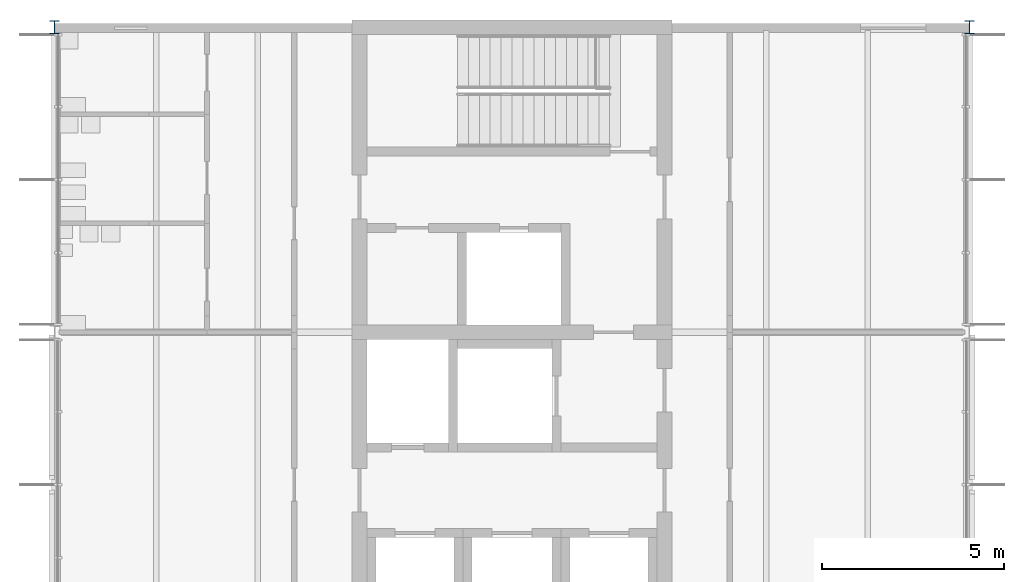
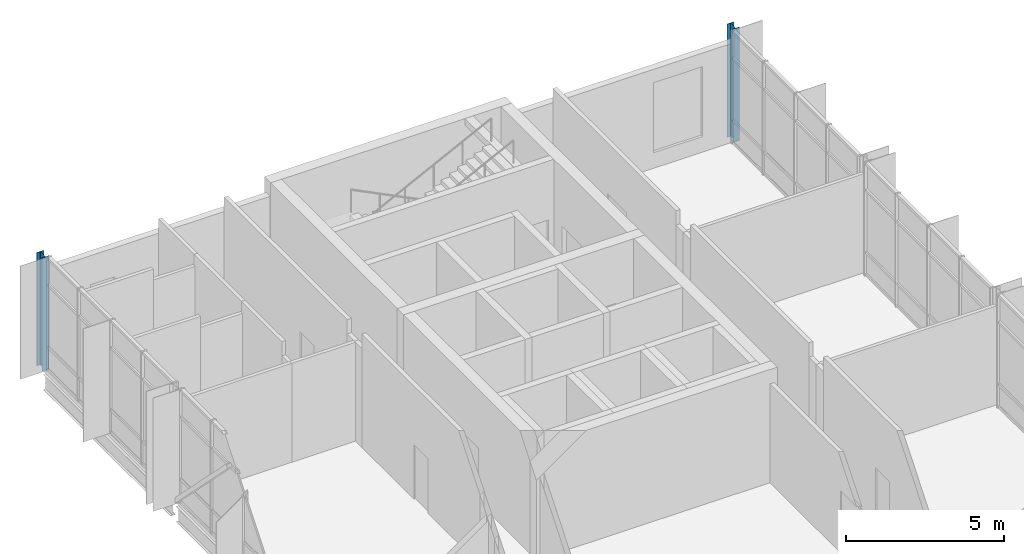
# One storey, part 2 of 17: 2 columns.
"""IFC4 building model written with IfcOpenShell, lengths in metres."""

from ifc_helpers import new_model, si_unit, direction, frame, origin, origin_2d, place, context, subcontext, project, spatial, i_section, extrude, material, material_profile, profile_set, type_object, element, save


model = new_model("IFC4")

# Units and contexts
model_context = context("Model", 3, precision=1e-05, world=origin(), true_north=direction((0.0, 1.0)))
body_context = subcontext(model_context, "Body", "Model", "MODEL_VIEW")
ifc_project = project(units=[si_unit("LENGTHUNIT", "METRE"), si_unit("AREAUNIT", "SQUARE_METRE"), si_unit("VOLUMEUNIT", "CUBIC_METRE"), si_unit("PLANEANGLEUNIT", "RADIAN"), si_unit("MASSUNIT", "GRAM", prefix="KILO")], contexts=[model_context])

# Site, building, storey
site_placement = place(None, origin())
site = spatial("IfcSite", under=ifc_project, at=site_placement, CompositionType="ELEMENT")
building_placement = place(site_placement, origin())
building = spatial("IfcBuilding", under=site, at=building_placement, Name="Hlaing Beacon Police Headquarters", CompositionType="ELEMENT")
storey_placement = place(building_placement, frame((0.0, 0.0, 36.89990234375)))
storey = spatial("IfcBuildingStorey", under=building, at=storey_placement, Name="L08", CompositionType="ELEMENT", Elevation=36.89990234375)

# Columns
ifc_material = material(Name="Steel ASTM A992 Grade 50", Category="steel")
ifc_material_profile = material_profile(ifc_material, i_section(OverallWidth=0.25390625, OverallDepth=0.35302734375, WebThickness=0.009521484375, FlangeThickness=0.016357421875, FilletRadius=0.01513671875, at=origin_2d()), Name="W14x61")
ifc_profile_set = profile_set([ifc_material_profile], Name="Steel ASTM A992 Grade 50")
column_type = type_object("IfcColumnType", Name="Steel column W14x61", PredefinedType="COLUMN", material=ifc_profile_set)
for number, where, z_axis, x_axis, name in (
    (1, (100.800048828125, 67.199951171875, 0.0), (0.0, 0.0, 1.0), (1.0, 0.0, 0.0), "STR-COL-L08-N9"),
    (2, (126.0, 67.199951171875, 0.0), (0.0, 0.0, 1.0), (1.0, 0.0, 0.0), "STR-COL-L08-R9"),
):
    element("IfcColumn", number, at=place(storey_placement, frame(where, z_axis=z_axis, x_axis=x_axis)), inside=storey, type_object=column_type, Name=name, PredefinedType="COLUMN", context=body_context, shape_type="SweptSolid", body=[
        extrude(i_section(OverallWidth=0.25390625, OverallDepth=0.35302734375, WebThickness=0.009521484375, FlangeThickness=0.016357421875, FilletRadius=0.01513671875, at=origin_2d()), origin(), (0.0, 0.0, 1.0), 4.3701171875),
    ])

save(model, "model.ifc")
